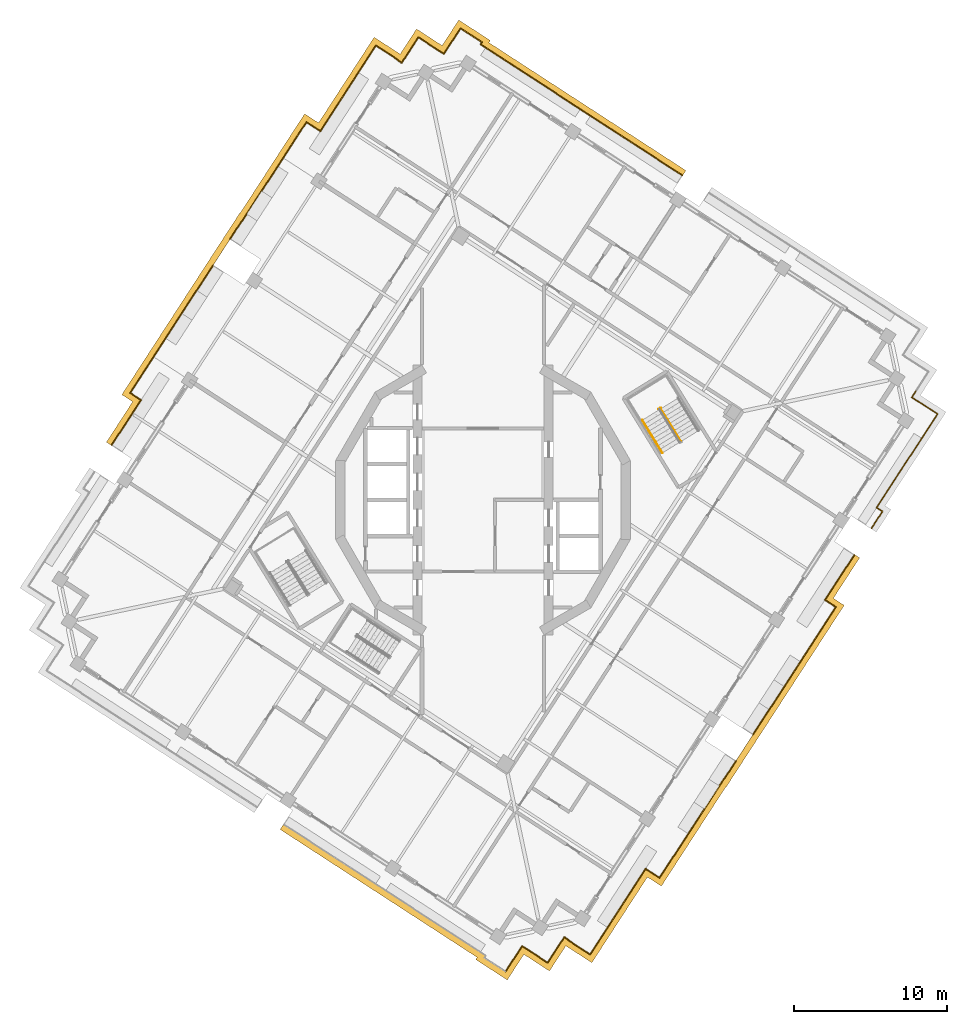
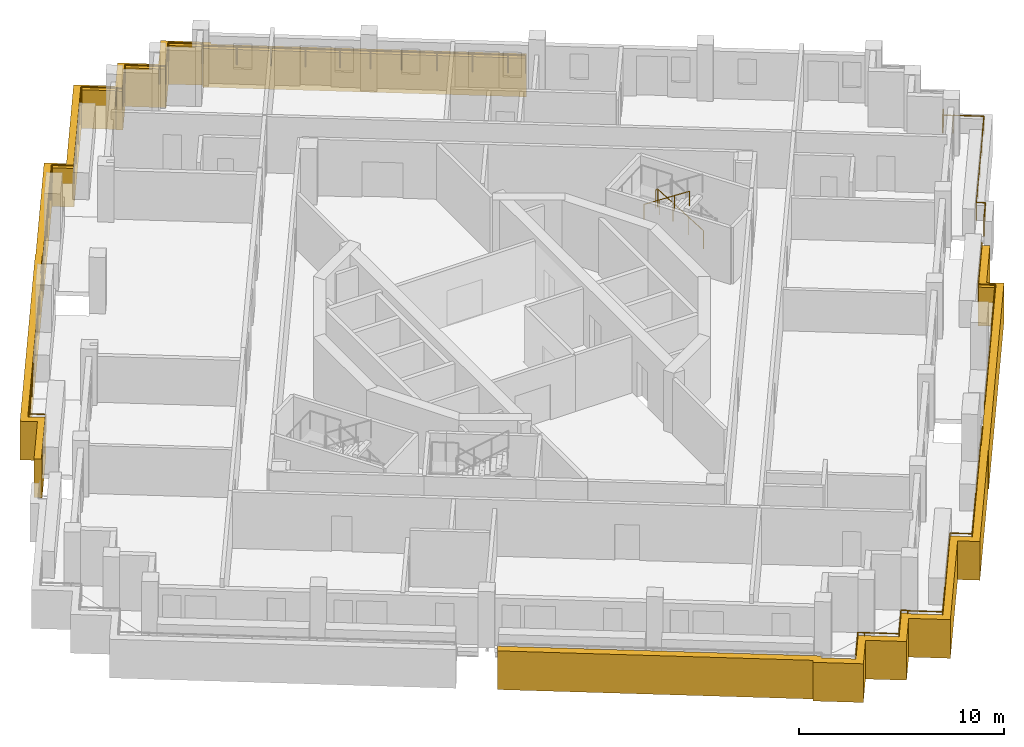
# One storey, part 13 of 15: 8 railings, 2 coverings.
"""IFC4 building model written with IfcOpenShell, lengths in metres."""

from ifc_helpers import new_model, si_unit, direction, frame, origin, origin_2d, place, context, subcontext, project, spatial, polyline, circle, outline, extrude, material, type_object, element, save


model = new_model("IFC4")

# Units and contexts
model_context = context("Model", 3, precision=1e-05, world=origin(), true_north=direction((0.0, 1.0)))
body_context = subcontext(model_context, "Body", "Model", "MODEL_VIEW")
ifc_project = project(units=[si_unit("LENGTHUNIT", "METRE"), si_unit("AREAUNIT", "SQUARE_METRE"), si_unit("VOLUMEUNIT", "CUBIC_METRE"), si_unit("PLANEANGLEUNIT", "RADIAN"), si_unit("MASSUNIT", "GRAM", prefix="KILO")], contexts=[model_context])

# Site, building, storey
site_placement = place(None, origin())
site = spatial("IfcSite", under=ifc_project, at=site_placement, CompositionType="ELEMENT")
building_placement = place(site_placement, origin())
building = spatial("IfcBuilding", under=site, at=building_placement, Name="Cantera Rosa Tower", CompositionType="ELEMENT")
storey_placement = place(building_placement, frame((0.0, 0.0, 282.89990234375)))
storey = spatial("IfcBuildingStorey", under=building, at=storey_placement, Name="L64", CompositionType="ELEMENT", Elevation=282.89990234375)

# Railings
ifc_material_1 = material(Name="Stainless steel and laminated glass", Category="steel")
railing_type_1 = type_object("IfcRailingType", Name="GUARD 1100", PredefinedType="BALUSTRADE", material=ifc_material_1)
railing_1_placement = place(storey_placement, frame((-15.81689453125, 18.26220703125, 0.0)))
element("IfcRailing", 1, at=railing_1_placement, inside=storey, type_object=railing_type_1, Name="GUARD L64-3", PredefinedType="BALUSTRADE", context=body_context, shape_type="SweptSolid", body=[
    extrude(circle(Radius=0.030029296875, at=origin_2d()), frame((0.0, 0.0, 1.070068359375), z_axis=(0.838212809447, -0.545343273616, 0.0), x_axis=(0.545343273616, 0.838212809447, 0.0)), (0.0, 0.0, 1.0), 0.024169921875),
    extrude(circle(Radius=0.030029296875, at=origin_2d()), frame((0.020263671875, -0.01318359375, 1.070068359375), z_axis=(0.573462344363, 0.819231920519, 0.0), x_axis=(-0.819231920519, 0.573462344363, 0.0)), (0.0, 0.0, 1.0), 0.0029296875),
    extrude(circle(Radius=0.030029296875, at=origin_2d()), frame((0.02197265625, -0.0107421875, 1.070068359375), z_axis=(0.544630964098, 0.838675809205, 0.0), x_axis=(-0.838675809205, 0.544630964098, 0.0)), (0.0, 0.0, 1.0), 3.14599609375),
    extrude(circle(Radius=0.030029296875, at=origin_2d()), frame((1.7353515625, 2.627685546875, 1.070068359375), z_axis=(0.544638834004, 0.838670698483, 0.0), x_axis=(-0.838670698483, 0.544638834004, 0.0)), (0.0, 0.0, 1.0), 1.669677734375),
    extrude(circle(Radius=0.030029296875, at=origin_2d()), frame((2.644775390625, 4.028076171875, 1.070068359375), z_axis=(0.707106781187, 0.707106781187, 0.0), x_axis=(-0.707106781187, 0.707106781187, 0.0)), (0.0, 0.0, 1.0), 0.000244140625),
    extrude(circle(Radius=0.030029296875, at=origin_2d()), frame((2.64501953125, 4.0283203125, 1.070068359375), z_axis=(0.544625948134, 0.83867906652, 0.0), x_axis=(-0.83867906652, 0.544625948134, 0.0)), (0.0, 0.0, 1.0), 2.9365234375),
    extrude(circle(Radius=0.030029296875, at=origin_2d()), frame((4.244384765625, 6.4912109375, 1.070068359375), z_axis=(0.838725681888, -0.544554157584, 0.0), x_axis=(0.544554157584, 0.838725681888, 0.0)), (0.0, 0.0, 1.0), 1.087158203125),
    extrude(circle(Radius=0.030029296875, at=origin_2d()), frame((5.15625, 5.899169921875, 1.070068359375), z_axis=(0.544625436899, 0.838679398509, 0.0), x_axis=(-0.838679398509, 0.544625436899, 0.0)), (0.0, 0.0, 1.0), 6.692626953125),
    extrude(circle(Radius=0.030029296875, at=origin_2d()), frame((8.80126953125, 11.51220703125, 1.070068359375), z_axis=(0.838706012202, -0.544584451758, 0.0), x_axis=(0.544584451758, 0.838706012202, 0.0)), (0.0, 0.0, 1.0), 1.699951171875),
    extrude(circle(Radius=0.030029296875, at=origin_2d()), frame((10.22705078125, 10.58642578125, 1.070068359375), z_axis=(-0.539263304262, -0.842137214875, 0.0), x_axis=(0.842137214875, -0.539263304262, 0.0)), (0.0, 0.0, 1.0), 0.032958984375),
    extrude(circle(Radius=0.030029296875, at=origin_2d()), frame((10.209228515625, 10.55859375, 1.070068359375), z_axis=(0.838644544556, -0.544679105424, 0.0), x_axis=(0.544679105424, 0.838644544556, 0.0)), (0.0, 0.0, 1.0), 0.3330078125),
    extrude(circle(Radius=0.030029296875, at=origin_2d()), frame((10.488525390625, 10.377197265625, 1.070068359375), z_axis=(0.544679105424, 0.838644544556, 0.0), x_axis=(-0.838644544556, 0.544679105424, 0.0)), (0.0, 0.0, 1.0), 0.3330078125),
    extrude(circle(Radius=0.030029296875, at=origin_2d()), frame((10.669921875, 10.656494140625, 1.070068359375), z_axis=(0.544519815338, 0.838747978063, 0.0), x_axis=(-0.838747978063, 0.544519815338, 0.0)), (0.0, 0.0, 1.0), 1.6669921875),
    extrude(circle(Radius=0.030029296875, at=origin_2d()), frame((11.57763671875, 12.0546875, 1.070068359375), z_axis=(0.838681088875, -0.544622833862, 0.0), x_axis=(0.544622833862, 0.838681088875, 0.0)), (0.0, 0.0, 1.0), 1.667236328125),
    extrude(circle(Radius=0.030029296875, at=origin_2d()), frame((12.975830078125, 11.146728515625, 1.070068359375), z_axis=(0.838644544556, -0.544679105424, 0.0), x_axis=(0.544679105424, 0.838644544556, 0.0)), (0.0, 0.0, 1.0), 0.3330078125),
    extrude(circle(Radius=0.030029296875, at=origin_2d()), frame((13.255126953125, 10.96533203125, 1.070068359375), z_axis=(0.54460209718, 0.8386945545, 0.0), x_axis=(-0.8386945545, 0.54460209718, 0.0)), (0.0, 0.0, 1.0), 1.999755859375),
    extrude(circle(Radius=0.030029296875, at=origin_2d()), frame((14.34423828125, 12.642578125, 1.070068359375), z_axis=(0.838747978063, -0.544519815338, 0.0), x_axis=(0.544519815338, 0.838747978063, 0.0)), (0.0, 0.0, 1.0), 1.6669921875),
    extrude(circle(Radius=0.030029296875, at=origin_2d()), frame((15.742431640625, 11.73486328125, 1.070068359375), z_axis=(-0.544885652698, -0.838510360988, 0.0), x_axis=(0.838510360988, -0.544885652698, 0.0)), (0.0, 0.0, 1.0), 0.167236328125),
    extrude(circle(Radius=0.030029296875, at=origin_2d()), frame((15.6513671875, 11.5947265625, 1.070068359375), z_axis=(0.838666659313, -0.544645053734, 0.0), x_axis=(0.544645053734, 0.838666659313, 0.0)), (0.0, 0.0, 1.0), 6.7001953125),
    extrude(circle(Radius=0.030029296875, at=origin_2d()), frame((21.2705078125, 7.945556640625, 1.070068359375), z_axis=(0.8387001057, -0.544593548161, 0.0), x_axis=(0.544593548161, 0.8387001057, 0.0)), (0.0, 0.0, 1.0), 3.0),
    extrude(circle(Radius=0.030029296875, at=origin_2d()), frame((23.78662109375, 6.311767578125, 1.070068359375), z_axis=(0.838657010828, -0.544659910576, 0.0), x_axis=(0.544659910576, 0.838657010828, 0.0)), (0.0, 0.0, 1.0), 5.2001953125),
    extrude(circle(Radius=0.030029296875, at=origin_2d()), frame((28.147705078125, 3.4794921875, 1.070068359375), z_axis=(0.838725681888, -0.544554157584, 0.0), x_axis=(0.544554157584, 0.838725681888, 0.0)), (0.0, 0.0, 1.0), 0.869873046875),
    extrude(circle(Radius=0.02490234375, at=origin_2d()), origin(), (0.0, 0.0, 1.0), 1.0400390625),
    extrude(circle(Radius=0.02490234375, at=origin_2d()), frame((0.020263671875, -0.01318359375, 0.0)), (0.0, 0.0, 1.0), 1.0400390625),
    extrude(circle(Radius=0.02490234375, at=origin_2d()), frame((0.02197265625, -0.0107421875, 0.0)), (0.0, 0.0, 1.0), 1.0400390625),
    extrude(circle(Radius=0.02490234375, at=origin_2d()), frame((0.878662109375, 1.30859375, 0.0)), (0.0, 0.0, 1.0), 1.0400390625),
    extrude(circle(Radius=0.02490234375, at=origin_2d()), frame((1.7353515625, 2.627685546875, 0.0)), (0.0, 0.0, 1.0), 1.0400390625),
    extrude(circle(Radius=0.02490234375, at=origin_2d()), frame((2.644775390625, 4.028076171875, 0.0)), (0.0, 0.0, 1.0), 1.0400390625),
    extrude(circle(Radius=0.02490234375, at=origin_2d()), frame((2.64501953125, 4.0283203125, 0.0)), (0.0, 0.0, 1.0), 1.0400390625),
    extrude(circle(Radius=0.02490234375, at=origin_2d()), frame((3.44482421875, 5.259765625, 0.0)), (0.0, 0.0, 1.0), 1.0400390625),
    extrude(circle(Radius=0.02490234375, at=origin_2d()), frame((4.244384765625, 6.4912109375, 0.0)), (0.0, 0.0, 1.0), 1.0400390625),
    extrude(circle(Radius=0.02490234375, at=origin_2d()), frame((5.15625, 5.899169921875, 0.0)), (0.0, 0.0, 1.0), 1.0400390625),
    extrude(circle(Radius=0.02490234375, at=origin_2d()), frame((6.0673828125, 7.302490234375, 0.0)), (0.0, 0.0, 1.0), 1.0400390625),
    extrude(circle(Radius=0.02490234375, at=origin_2d()), frame((6.978759765625, 8.70556640625, 0.0)), (0.0, 0.0, 1.0), 1.0400390625),
    extrude(circle(Radius=0.02490234375, at=origin_2d()), frame((7.89013671875, 10.10888671875, 0.0)), (0.0, 0.0, 1.0), 1.0400390625),
    extrude(circle(Radius=0.02490234375, at=origin_2d()), frame((8.80126953125, 11.51220703125, 0.0)), (0.0, 0.0, 1.0), 1.0400390625),
    extrude(circle(Radius=0.02490234375, at=origin_2d()), frame((10.22705078125, 10.58642578125, 0.0)), (0.0, 0.0, 1.0), 1.0400390625),
    extrude(circle(Radius=0.02490234375, at=origin_2d()), frame((10.209228515625, 10.55859375, 0.0)), (0.0, 0.0, 1.0), 1.0400390625),
    extrude(circle(Radius=0.02490234375, at=origin_2d()), frame((10.488525390625, 10.377197265625, 0.0)), (0.0, 0.0, 1.0), 1.0400390625),
    extrude(circle(Radius=0.02490234375, at=origin_2d()), frame((10.669921875, 10.656494140625, 0.0)), (0.0, 0.0, 1.0), 1.0400390625),
    extrude(circle(Radius=0.02490234375, at=origin_2d()), frame((11.57763671875, 12.0546875, 0.0)), (0.0, 0.0, 1.0), 1.0400390625),
    extrude(circle(Radius=0.02490234375, at=origin_2d()), frame((12.975830078125, 11.146728515625, 0.0)), (0.0, 0.0, 1.0), 1.0400390625),
    extrude(circle(Radius=0.02490234375, at=origin_2d()), frame((13.255126953125, 10.96533203125, 0.0)), (0.0, 0.0, 1.0), 1.0400390625),
    extrude(circle(Radius=0.02490234375, at=origin_2d()), frame((14.34423828125, 12.642578125, 0.0)), (0.0, 0.0, 1.0), 1.0400390625),
    extrude(circle(Radius=0.02490234375, at=origin_2d()), frame((15.742431640625, 11.73486328125, 0.0)), (0.0, 0.0, 1.0), 1.0400390625),
    extrude(circle(Radius=0.02490234375, at=origin_2d()), frame((15.6513671875, 11.5947265625, 0.0)), (0.0, 0.0, 1.0), 1.0400390625),
    extrude(circle(Radius=0.02490234375, at=origin_2d()), frame((17.05615234375, 10.682373046875, 0.0)), (0.0, 0.0, 1.0), 1.0400390625),
    extrude(circle(Radius=0.02490234375, at=origin_2d()), frame((18.4609375, 9.77001953125, 0.0)), (0.0, 0.0, 1.0), 1.0400390625),
    extrude(circle(Radius=0.02490234375, at=origin_2d()), frame((19.86572265625, 8.85791015625, 0.0)), (0.0, 0.0, 1.0), 1.0400390625),
    extrude(circle(Radius=0.02490234375, at=origin_2d()), frame((21.2705078125, 7.945556640625, 0.0)), (0.0, 0.0, 1.0), 1.0400390625),
    extrude(circle(Radius=0.02490234375, at=origin_2d()), frame((22.528564453125, 7.128662109375, 0.0)), (0.0, 0.0, 1.0), 1.0400390625),
    extrude(circle(Radius=0.02490234375, at=origin_2d()), frame((23.78662109375, 6.311767578125, 0.0)), (0.0, 0.0, 1.0), 1.0400390625),
    extrude(circle(Radius=0.02490234375, at=origin_2d()), frame((25.240234375, 5.36767578125, 0.0)), (0.0, 0.0, 1.0), 1.0400390625),
    extrude(circle(Radius=0.02490234375, at=origin_2d()), frame((26.694091796875, 4.423583984375, 0.0)), (0.0, 0.0, 1.0), 1.0400390625),
    extrude(circle(Radius=0.02490234375, at=origin_2d()), frame((28.147705078125, 3.4794921875, 0.0)), (0.0, 0.0, 1.0), 1.0400390625),
    extrude(circle(Radius=0.02490234375, at=origin_2d()), frame((28.877197265625, 3.005859375, 0.0)), (0.0, 0.0, 1.0), 1.0400390625),
])
railing_2_placement = place(storey_placement, frame((-24.33251953125, 3.592041015625, 0.0)))
element("IfcRailing", 2, at=railing_2_placement, inside=storey, type_object=railing_type_1, Name="GUARD L64-4", PredefinedType="BALUSTRADE", context=body_context, shape_type="SweptSolid", body=[
    extrude(circle(Radius=0.030029296875, at=origin_2d()), frame((0.0, 0.0, 1.070068359375), z_axis=(0.544612376338, 0.83868787969, 0.0), x_axis=(-0.83868787969, 0.544612376338, 0.0)), (0.0, 0.0, 1.0), 3.538330078125),
    extrude(circle(Radius=0.030029296875, at=origin_2d()), frame((1.927001953125, 2.967529296875, 1.070068359375), z_axis=(-0.838634313487, 0.544694857919, 0.0), x_axis=(-0.544694857919, -0.838634313487, 0.0)), (0.0, 0.0, 1.0), 0.84814453125),
    extrude(circle(Radius=0.030029296875, at=origin_2d()), frame((1.2158203125, 3.429443359375, 1.070068359375), z_axis=(0.544594144687, 0.838699718358, 0.0), x_axis=(-0.838699718358, 0.544594144687, 0.0)), (0.0, 0.0, 1.0), 2.9609375),
    extrude(circle(Radius=0.030029296875, at=origin_2d()), frame((2.828369140625, 5.912841796875, 1.070068359375), z_axis=(0.4472135955, 0.894427191, 0.0), x_axis=(-0.894427191, 0.4472135955, 0.0)), (0.0, 0.0, 1.0), 0.00048828125),
    extrude(circle(Radius=0.030029296875, at=origin_2d()), frame((2.82861328125, 5.913330078125, 1.070068359375), z_axis=(0.544667230354, 0.838652257005, 0.0), x_axis=(-0.838652257005, 0.544667230354, 0.0)), (0.0, 0.0, 1.0), 7.00244140625),
    extrude(circle(Radius=0.02490234375, at=origin_2d()), origin(), (0.0, 0.0, 1.0), 1.0400390625),
    extrude(circle(Radius=0.02490234375, at=origin_2d()), frame((0.96337890625, 1.48388671875, 0.0)), (0.0, 0.0, 1.0), 1.0400390625),
    extrude(circle(Radius=0.02490234375, at=origin_2d()), frame((1.927001953125, 2.967529296875, 0.0)), (0.0, 0.0, 1.0), 1.0400390625),
    extrude(circle(Radius=0.02490234375, at=origin_2d()), frame((1.2158203125, 3.429443359375, 0.0)), (0.0, 0.0, 1.0), 1.0400390625),
    extrude(circle(Radius=0.02490234375, at=origin_2d()), frame((2.02197265625, 4.671142578125, 0.0)), (0.0, 0.0, 1.0), 1.0400390625),
    extrude(circle(Radius=0.02490234375, at=origin_2d()), frame((2.828369140625, 5.912841796875, 0.0)), (0.0, 0.0, 1.0), 1.0400390625),
    extrude(circle(Radius=0.02490234375, at=origin_2d()), frame((2.82861328125, 5.913330078125, 0.0)), (0.0, 0.0, 1.0), 1.0400390625),
    extrude(circle(Radius=0.02490234375, at=origin_2d()), frame((3.7822265625, 7.38134765625, 0.0)), (0.0, 0.0, 1.0), 1.0400390625),
    extrude(circle(Radius=0.02490234375, at=origin_2d()), frame((4.735595703125, 8.849609375, 0.0)), (0.0, 0.0, 1.0), 1.0400390625),
    extrude(circle(Radius=0.02490234375, at=origin_2d()), frame((5.68896484375, 10.31787109375, 0.0)), (0.0, 0.0, 1.0), 1.0400390625),
    extrude(circle(Radius=0.02490234375, at=origin_2d()), frame((6.642578125, 11.785888671875, 0.0)), (0.0, 0.0, 1.0), 1.0400390625),
])
railing_3_placement = place(storey_placement, frame((-16.570556640625, 17.101806640625, 0.0)))
element("IfcRailing", 3, at=railing_3_placement, inside=storey, type_object=railing_type_1, Name="GUARD L64-5", PredefinedType="BALUSTRADE", context=body_context, shape_type="SweptSolid", body=[
    extrude(circle(Radius=0.030029296875, at=origin_2d()), frame((0.0, 0.0, 1.070068359375), z_axis=(0.544684420792, 0.838641092331, 0.0), x_axis=(-0.838641092331, 0.544684420792, 0.0)), (0.0, 0.0, 1.0), 1.3837890625),
    extrude(circle(Radius=0.02490234375, at=origin_2d()), origin(), (0.0, 0.0, 1.0), 1.0400390625),
    extrude(circle(Radius=0.02490234375, at=origin_2d()), frame((0.753662109375, 1.160400390625, 0.0)), (0.0, 0.0, 1.0), 1.0400390625),
])
railing_4_placement = place(storey_placement, frame((24.33251953125, -3.592041015625, 0.0)))
element("IfcRailing", 4, at=railing_4_placement, inside=storey, type_object=railing_type_1, Name="GUARD L64-7", PredefinedType="BALUSTRADE", context=body_context, shape_type="SweptSolid", body=[
    extrude(circle(Radius=0.030029296875, at=origin_2d()), frame((0.0, 0.0, 1.070068359375), z_axis=(-0.544612376338, -0.83868787969, 0.0), x_axis=(0.83868787969, -0.544612376338, 0.0)), (0.0, 0.0, 1.0), 3.538330078125),
    extrude(circle(Radius=0.030029296875, at=origin_2d()), frame((-1.927001953125, -2.967529296875, 1.070068359375), z_axis=(0.838634313487, -0.544694857919, 0.0), x_axis=(0.544694857919, 0.838634313487, 0.0)), (0.0, 0.0, 1.0), 0.84814453125),
    extrude(circle(Radius=0.030029296875, at=origin_2d()), frame((-1.2158203125, -3.429443359375, 1.070068359375), z_axis=(-0.544640360328, -0.838669707275, 0.0), x_axis=(0.838669707275, -0.544640360328, 0.0)), (0.0, 0.0, 1.0), 9.9638671875),
    extrude(circle(Radius=0.02490234375, at=origin_2d()), origin(), (0.0, 0.0, 1.0), 1.0400390625),
    extrude(circle(Radius=0.02490234375, at=origin_2d()), frame((-0.96337890625, -1.48388671875, 0.0)), (0.0, 0.0, 1.0), 1.0400390625),
    extrude(circle(Radius=0.02490234375, at=origin_2d()), frame((-1.927001953125, -2.967529296875, 0.0)), (0.0, 0.0, 1.0), 1.0400390625),
    extrude(circle(Radius=0.02490234375, at=origin_2d()), frame((-1.2158203125, -3.429443359375, 0.0)), (0.0, 0.0, 1.0), 1.0400390625),
    extrude(circle(Radius=0.02490234375, at=origin_2d()), frame((-2.30126953125, -5.100830078125, 0.0)), (0.0, 0.0, 1.0), 1.0400390625),
    extrude(circle(Radius=0.02490234375, at=origin_2d()), frame((-3.386474609375, -6.77197265625, 0.0)), (0.0, 0.0, 1.0), 1.0400390625),
    extrude(circle(Radius=0.02490234375, at=origin_2d()), frame((-4.471923828125, -8.443359375, 0.0)), (0.0, 0.0, 1.0), 1.0400390625),
    extrude(circle(Radius=0.02490234375, at=origin_2d()), frame((-5.55712890625, -10.114501953125, 0.0)), (0.0, 0.0, 1.0), 1.0400390625),
    extrude(circle(Radius=0.02490234375, at=origin_2d()), frame((-6.642578125, -11.785888671875, 0.0)), (0.0, 0.0, 1.0), 1.0400390625),
])
railing_5_placement = place(storey_placement, frame((16.570556640625, -17.101806640625, 0.0)))
element("IfcRailing", 5, at=railing_5_placement, inside=storey, type_object=railing_type_1, Name="GUARD L64-8", PredefinedType="BALUSTRADE", context=body_context, shape_type="SweptSolid", body=[
    extrude(circle(Radius=0.030029296875, at=origin_2d()), frame((0.0, 0.0, 1.070068359375), z_axis=(-0.544684420792, -0.838641092331, 0.0), x_axis=(0.838641092331, -0.544684420792, 0.0)), (0.0, 0.0, 1.0), 1.3837890625),
    extrude(circle(Radius=0.030029296875, at=origin_2d()), frame((-0.753662109375, -1.160400390625, 1.070068359375), z_axis=(-0.838212809447, 0.545343273616, 0.0), x_axis=(-0.545343273616, -0.838212809447, 0.0)), (0.0, 0.0, 1.0), 0.024169921875),
    extrude(circle(Radius=0.030029296875, at=origin_2d()), frame((-0.77392578125, -1.147216796875, 1.070068359375), z_axis=(-0.544649727066, -0.838663624349, 0.0), x_axis=(0.838663624349, -0.544649727066, 0.0)), (0.0, 0.0, 1.0), 7.755615234375),
    extrude(circle(Radius=0.030029296875, at=origin_2d()), frame((-4.998046875, -7.651611328125, 1.070068359375), z_axis=(-0.838725681888, 0.544554157584, 0.0), x_axis=(-0.544554157584, -0.838725681888, 0.0)), (0.0, 0.0, 1.0), 1.087158203125),
    extrude(circle(Radius=0.030029296875, at=origin_2d()), frame((-5.909912109375, -7.0595703125, 1.070068359375), z_axis=(-0.544625436899, -0.838679398509, 0.0), x_axis=(0.838679398509, -0.544625436899, 0.0)), (0.0, 0.0, 1.0), 6.692626953125),
    extrude(circle(Radius=0.030029296875, at=origin_2d()), frame((-9.554931640625, -12.672607421875, 1.070068359375), z_axis=(-0.838706012202, 0.544584451758, 0.0), x_axis=(-0.544584451758, -0.838706012202, 0.0)), (0.0, 0.0, 1.0), 1.699951171875),
    extrude(circle(Radius=0.030029296875, at=origin_2d()), frame((-10.980712890625, -11.746826171875, 1.070068359375), z_axis=(0.539263304262, 0.842137214875, 0.0), x_axis=(-0.842137214875, 0.539263304262, 0.0)), (0.0, 0.0, 1.0), 0.032958984375),
    extrude(circle(Radius=0.030029296875, at=origin_2d()), frame((-10.962890625, -11.718994140625, 1.070068359375), z_axis=(-0.838644544556, 0.544679105424, 0.0), x_axis=(-0.544679105424, -0.838644544556, 0.0)), (0.0, 0.0, 1.0), 0.3330078125),
    extrude(circle(Radius=0.030029296875, at=origin_2d()), frame((-11.2421875, -11.53759765625, 1.070068359375), z_axis=(-0.544679105424, -0.838644544556, 0.0), x_axis=(0.838644544556, -0.544679105424, 0.0)), (0.0, 0.0, 1.0), 0.3330078125),
    extrude(circle(Radius=0.030029296875, at=origin_2d()), frame((-11.423583984375, -11.81689453125, 1.070068359375), z_axis=(-0.544519815338, -0.838747978063, 0.0), x_axis=(0.838747978063, -0.544519815338, 0.0)), (0.0, 0.0, 1.0), 1.6669921875),
    extrude(circle(Radius=0.030029296875, at=origin_2d()), frame((-12.331298828125, -13.215087890625, 1.070068359375), z_axis=(-0.838681088875, 0.544622833862, 0.0), x_axis=(-0.544622833862, -0.838681088875, 0.0)), (0.0, 0.0, 1.0), 1.667236328125),
    extrude(circle(Radius=0.030029296875, at=origin_2d()), frame((-13.7294921875, -12.30712890625, 1.070068359375), z_axis=(-0.838644544556, 0.544679105424, 0.0), x_axis=(-0.544679105424, -0.838644544556, 0.0)), (0.0, 0.0, 1.0), 0.3330078125),
    extrude(circle(Radius=0.030029296875, at=origin_2d()), frame((-14.0087890625, -12.125732421875, 1.070068359375), z_axis=(-0.54460209718, -0.8386945545, 0.0), x_axis=(0.8386945545, -0.54460209718, 0.0)), (0.0, 0.0, 1.0), 1.999755859375),
    extrude(circle(Radius=0.02490234375, at=origin_2d()), origin(), (0.0, 0.0, 1.0), 1.0400390625),
    extrude(circle(Radius=0.02490234375, at=origin_2d()), frame((-0.753662109375, -1.160400390625, 0.0)), (0.0, 0.0, 1.0), 1.0400390625),
    extrude(circle(Radius=0.02490234375, at=origin_2d()), frame((-0.77392578125, -1.147216796875, 0.0)), (0.0, 0.0, 1.0), 1.0400390625),
    extrude(circle(Radius=0.02490234375, at=origin_2d()), frame((-1.830078125, -2.7734375, 0.0)), (0.0, 0.0, 1.0), 1.0400390625),
    extrude(circle(Radius=0.02490234375, at=origin_2d()), frame((-2.885986328125, -4.3994140625, 0.0)), (0.0, 0.0, 1.0), 1.0400390625),
    extrude(circle(Radius=0.02490234375, at=origin_2d()), frame((-3.94189453125, -6.025390625, 0.0)), (0.0, 0.0, 1.0), 1.0400390625),
    extrude(circle(Radius=0.02490234375, at=origin_2d()), frame((-4.998046875, -7.651611328125, 0.0)), (0.0, 0.0, 1.0), 1.0400390625),
    extrude(circle(Radius=0.02490234375, at=origin_2d()), frame((-5.909912109375, -7.0595703125, 0.0)), (0.0, 0.0, 1.0), 1.0400390625),
    extrude(circle(Radius=0.02490234375, at=origin_2d()), frame((-6.8212890625, -8.462890625, 0.0)), (0.0, 0.0, 1.0), 1.0400390625),
    extrude(circle(Radius=0.02490234375, at=origin_2d()), frame((-7.732421875, -9.8662109375, 0.0)), (0.0, 0.0, 1.0), 1.0400390625),
    extrude(circle(Radius=0.02490234375, at=origin_2d()), frame((-8.6435546875, -11.269287109375, 0.0)), (0.0, 0.0, 1.0), 1.0400390625),
    extrude(circle(Radius=0.02490234375, at=origin_2d()), frame((-9.554931640625, -12.672607421875, 0.0)), (0.0, 0.0, 1.0), 1.0400390625),
    extrude(circle(Radius=0.02490234375, at=origin_2d()), frame((-10.980712890625, -11.746826171875, 0.0)), (0.0, 0.0, 1.0), 1.0400390625),
    extrude(circle(Radius=0.02490234375, at=origin_2d()), frame((-10.962890625, -11.718994140625, 0.0)), (0.0, 0.0, 1.0), 1.0400390625),
    extrude(circle(Radius=0.02490234375, at=origin_2d()), frame((-11.2421875, -11.53759765625, 0.0)), (0.0, 0.0, 1.0), 1.0400390625),
    extrude(circle(Radius=0.02490234375, at=origin_2d()), frame((-11.423583984375, -11.81689453125, 0.0)), (0.0, 0.0, 1.0), 1.0400390625),
    extrude(circle(Radius=0.02490234375, at=origin_2d()), frame((-12.331298828125, -13.215087890625, 0.0)), (0.0, 0.0, 1.0), 1.0400390625),
    extrude(circle(Radius=0.02490234375, at=origin_2d()), frame((-13.7294921875, -12.30712890625, 0.0)), (0.0, 0.0, 1.0), 1.0400390625),
    extrude(circle(Radius=0.02490234375, at=origin_2d()), frame((-14.0087890625, -12.125732421875, 0.0)), (0.0, 0.0, 1.0), 1.0400390625),
    extrude(circle(Radius=0.02490234375, at=origin_2d()), frame((-15.097900390625, -13.802978515625, 0.0)), (0.0, 0.0, 1.0), 1.0400390625),
])
railing_6_placement = place(storey_placement, frame((28.3720703125, 7.151123046875, 0.0)))
element("IfcRailing", 6, at=railing_6_placement, inside=storey, type_object=railing_type_1, Name="GUARD L64-9", PredefinedType="BALUSTRADE", context=body_context, shape_type="SweptSolid", body=[
    extrude(circle(Radius=0.030029296875, at=origin_2d()), frame((0.0, 0.0, 1.070068359375), z_axis=(-0.544627753175, -0.83867789435, 0.0), x_axis=(0.83867789435, -0.544627753175, 0.0)), (0.0, 0.0, 1.0), 0.499755859375),
    extrude(circle(Radius=0.030029296875, at=origin_2d()), frame((-0.272216796875, -0.419189453125, 1.070068359375), z_axis=(0.838454772945, -0.544971186143, 0.0), x_axis=(0.544971186143, 0.838454772945, 0.0)), (0.0, 0.0, 1.0), 0.5),
    extrude(circle(Radius=0.030029296875, at=origin_2d()), frame((0.14697265625, -0.691650390625, 1.070068359375), z_axis=(0.549177886661, 0.835705479701, 0.0), x_axis=(-0.835705479701, 0.549177886661, 0.0)), (0.0, 0.0, 1.0), 0.01025390625),
    extrude(circle(Radius=0.030029296875, at=origin_2d()), frame((0.152587890625, -0.68310546875, 1.070068359375), z_axis=(0.838631955589, -0.544698488216, 0.0), x_axis=(0.544698488216, 0.838631955589, 0.0)), (0.0, 0.0, 1.0), 1.510009765625),
    extrude(circle(Radius=0.030029296875, at=origin_2d()), frame((1.4189453125, -1.505615234375, 1.070068359375), z_axis=(-0.544617010078, -0.838684870696, 0.0), x_axis=(0.838684870696, -0.544617010078, 0.0)), (0.0, 0.0, 1.0), 7.32666015625),
    extrude(circle(Radius=0.030029296875, at=origin_2d()), frame((-2.5712890625, -7.650390625, 1.070068359375), z_axis=(0.838701967794, -0.544590680437, 0.0), x_axis=(0.544590680437, 0.838701967794, 0.0)), (0.0, 0.0, 1.0), 0.453125),
    extrude(circle(Radius=0.030029296875, at=origin_2d()), frame((-2.191162109375, -7.897216796875, 1.070068359375), z_axis=(-0.544730886847, -0.838610911516, 0.0), x_axis=(0.838610911516, -0.544730886847, 0.0)), (0.0, 0.0, 1.0), 1.333251953125),
    extrude(circle(Radius=0.02490234375, at=origin_2d()), origin(), (0.0, 0.0, 1.0), 1.0400390625),
    extrude(circle(Radius=0.02490234375, at=origin_2d()), frame((-0.272216796875, -0.419189453125, 0.0)), (0.0, 0.0, 1.0), 1.0400390625),
    extrude(circle(Radius=0.02490234375, at=origin_2d()), frame((0.14697265625, -0.691650390625, 0.0)), (0.0, 0.0, 1.0), 1.0400390625),
    extrude(circle(Radius=0.02490234375, at=origin_2d()), frame((0.152587890625, -0.68310546875, 0.0)), (0.0, 0.0, 1.0), 1.0400390625),
    extrude(circle(Radius=0.02490234375, at=origin_2d()), frame((1.4189453125, -1.505615234375, 0.0)), (0.0, 0.0, 1.0), 1.0400390625),
    extrude(circle(Radius=0.02490234375, at=origin_2d()), frame((0.42138671875, -3.041748046875, 0.0)), (0.0, 0.0, 1.0), 1.0400390625),
    extrude(circle(Radius=0.02490234375, at=origin_2d()), frame((-0.576171875, -4.578125, 0.0)), (0.0, 0.0, 1.0), 1.0400390625),
    extrude(circle(Radius=0.02490234375, at=origin_2d()), frame((-1.57373046875, -6.1142578125, 0.0)), (0.0, 0.0, 1.0), 1.0400390625),
    extrude(circle(Radius=0.02490234375, at=origin_2d()), frame((-2.5712890625, -7.650390625, 0.0)), (0.0, 0.0, 1.0), 1.0400390625),
    extrude(circle(Radius=0.02490234375, at=origin_2d()), frame((-2.191162109375, -7.897216796875, 0.0)), (0.0, 0.0, 1.0), 1.0400390625),
    extrude(circle(Radius=0.02490234375, at=origin_2d()), frame((-2.91748046875, -9.015380859375, 0.0)), (0.0, 0.0, 1.0), 1.0400390625),
])
ifc_material_2 = material(Name="Steel S355J2 (EN 10025-2)", Category="steel")
railing_type_2 = type_object("IfcRailingType", Name="STAIR GUARD 1100", PredefinedType="GUARDRAIL", material=ifc_material_2)
railing_7_placement = place(storey_placement, frame((12.9765625, 3.834228515625, 0.18017578125)))
element("IfcRailing", 7, at=railing_7_placement, inside=storey, type_object=railing_type_2, Name="L64 ST-51 stair guard 1", PredefinedType="GUARDRAIL", context=body_context, shape_type="SweptSolid", body=[
    extrude(circle(Radius=0.02392578125, at=origin_2d()), frame((0.0, 0.0, 1.076171875), z_axis=(-0.441562923896, 0.715970890813, 0.540747508315), x_axis=(-0.851145618652, -0.524929648476, 0.0)), (0.0, 0.0, 1.0), 2.99560546875),
    extrude(circle(Radius=0.02392578125, at=origin_2d()), frame((-1.32275390625, 2.144775390625, 2.69580078125), z_axis=(-0.073711968402, 0.997279572494, 0.0), x_axis=(-0.997279572494, -0.073711968402, 0.0)), (0.0, 0.0, 1.0), 0.056396484375),
    extrude(circle(Radius=0.02392578125, at=origin_2d()), frame((-1.326904296875, 2.200927734375, 2.69580078125), z_axis=(-0.851546489876, -0.524279100842, 0.0), x_axis=(0.524279100842, -0.851546489876, 0.0)), (0.0, 0.0, 1.0), 0.14990234375),
    extrude(circle(Radius=0.02099609375, at=origin_2d()), origin(), (0.0, 0.0, 1.0), 1.052001953125),
    extrude(circle(Radius=0.02099609375, at=origin_2d()), frame((-0.44091796875, 0.71484375, 0.5400390625)), (0.0, 0.0, 1.0), 1.052001953125),
    extrude(circle(Radius=0.02099609375, at=origin_2d()), frame((-0.8818359375, 1.429931640625, 1.079833984375)), (0.0, 0.0, 1.0), 1.052001953125),
    extrude(circle(Radius=0.02099609375, at=origin_2d()), frame((-1.32275390625, 2.144775390625, 1.619873046875)), (0.0, 0.0, 1.0), 1.052001953125),
    extrude(circle(Radius=0.02099609375, at=origin_2d()), frame((-1.326904296875, 2.200927734375, 1.619873046875)), (0.0, 0.0, 1.0), 1.052001953125),
    extrude(circle(Radius=0.02099609375, at=origin_2d()), frame((-1.45458984375, 2.122314453125, 1.619873046875)), (0.0, 0.0, 1.0), 1.052001953125),
])
ifc_material_3 = material(Name="Steel S355J2 (EN 10025-2)", Category="steel")
railing_type_3 = type_object("IfcRailingType", Name="STAIR HANDRAIL 900", PredefinedType="HANDRAIL", material=ifc_material_3)
railing_8_placement = place(storey_placement, frame((10.441650390625, 5.2314453125, 1.97998046875)))
element("IfcRailing", 8, at=railing_8_placement, inside=storey, type_object=railing_type_3, Name="L64 ST-51 stair handrail 2", PredefinedType="HANDRAIL", context=body_context, shape_type="SweptSolid", body=[
    extrude(circle(Radius=0.02392578125, at=origin_2d()), frame((0.0, 0.0, 0.8759765625), z_axis=(0.441609067481, -0.715913574058, 0.540785711718), x_axis=(0.851102330005, 0.524999832248, 0.0)), (0.0, 0.0, 1.0), 2.995849609375),
    extrude(circle(Radius=0.02099609375, at=origin_2d()), origin(), (0.0, 0.0, 1.0), 0.851806640625),
    extrude(circle(Radius=0.02099609375, at=origin_2d()), frame((0.44091796875, -0.71484375, 0.5400390625)), (0.0, 0.0, 1.0), 0.851806640625),
    extrude(circle(Radius=0.02099609375, at=origin_2d()), frame((0.882080078125, -1.429931640625, 1.080078125)), (0.0, 0.0, 1.0), 0.851806640625),
    extrude(circle(Radius=0.02099609375, at=origin_2d()), frame((1.322998046875, -2.144775390625, 1.6201171875)), (0.0, 0.0, 1.0), 0.851806640625),
])

# Coverings
ifc_material_4 = material(Name="Cantera stone", Category="masonry")
covering_type = type_object("IfcCoveringType", Name="TRAY FASCIA 400", PredefinedType="CLADDING", material=ifc_material_4)
covering_1_placement = place(storey_placement, frame((0.0, 0.0, -1.39990234375)))
element("IfcCovering", 9, at=covering_1_placement, inside=storey, type_object=covering_type, Name="TRAY FASCIA L64-02", PredefinedType="CLADDING", context=body_context, shape_type="SweptSolid", body=[
    extrude(outline(polyline([(-22.958740234375, 6.44189453125), (-23.670166015625, 6.90380859375), (-15.9345703125, 18.815673828125), (-15.9140625, 18.802490234375), (-11.690185546875, 25.306884765625), (-10.7783203125, 24.714599609375), (-7.133056640625, 30.32763671875), (-5.427978515625, 29.220458984375), (-4.356689453125, 30.8701171875), (-2.679443359375, 29.78076171875), (-1.590087890625, 31.458251953125), (0.478759765625, 30.114501953125), (0.387939453125, 29.974609375), (5.67138671875, 26.543212890625), (8.1875, 24.909423828125), (12.548583984375, 22.0771484375), (13.294921875, 21.592529296875), (13.0771484375, 21.257080078125), (12.330810546875, 21.74169921875), (7.9697265625, 24.573974609375), (5.45361328125, 26.207763671875), (-0.16552734375, 29.85693359375), (-0.074462890625, 29.9970703125), (-1.47265625, 30.90478515625), (-2.561767578125, 29.2275390625), (-2.841064453125, 29.408935546875), (-4.2392578125, 30.31689453125), (-5.14697265625, 28.918701171875), (-5.328369140625, 28.639404296875), (-5.607666015625, 28.82080078125), (-5.58984375, 28.8486328125), (-7.015625, 29.7744140625), (-10.66064453125, 24.161376953125), (-11.572509765625, 24.75341796875), (-15.796630859375, 18.2490234375), (-15.81689453125, 18.26220703125), (-23.11669921875, 7.021484375), (-22.405517578125, 6.5595703125), (-24.343505859375, 3.5751953125), (-24.678955078125, 3.79296875), (-22.958740234375, 6.44189453125)])), origin(), (0.0, 0.0, 1.0), 2.300048828125),
])
covering_2_placement = place(storey_placement, frame((0.0, 0.0, -1.39990234375)))
element("IfcCovering", 10, at=covering_2_placement, inside=storey, type_object=covering_type, Name="TRAY FASCIA L64-03", PredefinedType="CLADDING", context=body_context, shape_type="SweptSolid", body=[
    extrude(outline(polyline([(22.958740234375, -6.44189453125), (23.670166015625, -6.90380859375), (15.9345703125, -18.815673828125), (15.9140625, -18.802490234375), (11.690185546875, -25.306884765625), (10.7783203125, -24.714599609375), (7.133056640625, -30.32763671875), (5.427978515625, -29.220458984375), (4.356689453125, -30.8701171875), (2.679443359375, -29.78076171875), (1.590087890625, -31.458251953125), (-0.478759765625, -30.114501953125), (-0.387939453125, -29.974609375), (-5.67138671875, -26.543212890625), (-8.1875, -24.909423828125), (-12.548583984375, -22.0771484375), (-13.294921875, -21.592529296875), (-13.0771484375, -21.257080078125), (-12.330810546875, -21.74169921875), (-7.9697265625, -24.573974609375), (-5.45361328125, -26.207763671875), (0.16552734375, -29.85693359375), (0.074462890625, -29.9970703125), (1.47265625, -30.90478515625), (2.561767578125, -29.2275390625), (2.841064453125, -29.408935546875), (4.2392578125, -30.31689453125), (5.14697265625, -28.918701171875), (5.328369140625, -28.639404296875), (5.607666015625, -28.82080078125), (5.58984375, -28.8486328125), (7.015625, -29.7744140625), (10.66064453125, -24.161376953125), (11.572509765625, -24.75341796875), (15.796630859375, -18.2490234375), (15.81689453125, -18.26220703125), (23.11669921875, -7.021484375), (22.405517578125, -6.5595703125), (24.343505859375, -3.5751953125), (24.678955078125, -3.79296875), (22.958740234375, -6.44189453125)])), origin(), (0.0, 0.0, 1.0), 2.300048828125),
])

save(model, "model.ifc")
